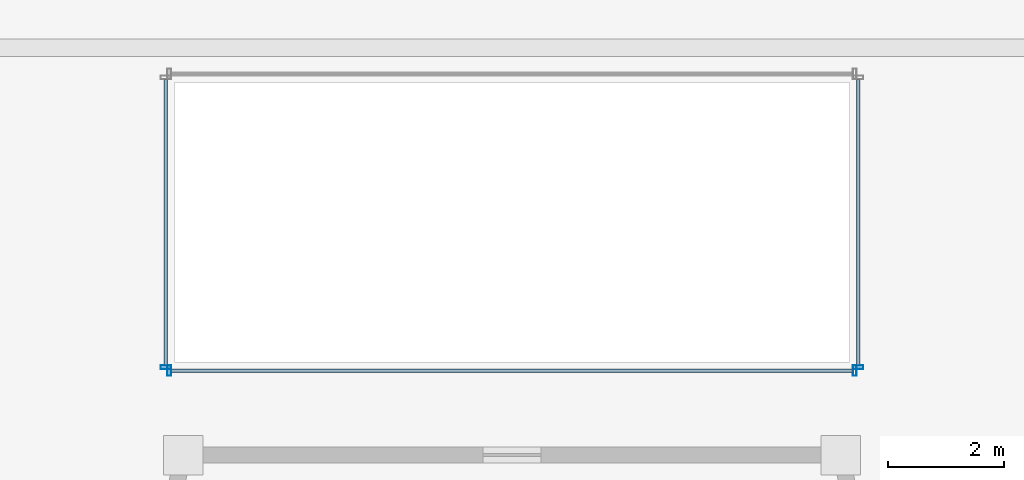
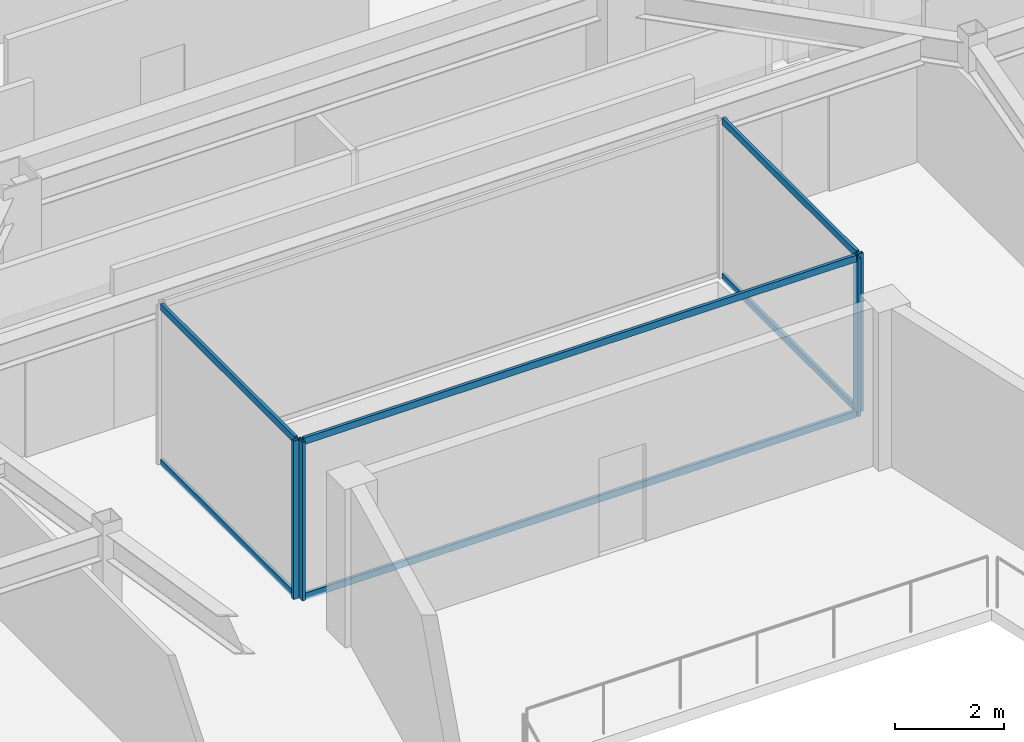
# One storey, part 7 of 31: 10 members, 3 elements without a shape of their own.
"""IFC4 building model written with IfcOpenShell, lengths in metres."""

from ifc_helpers import new_model, si_unit, direction, frame, origin, origin_2d, place, context, subcontext, project, spatial, hollow_rectangle, extrude, material, material_profile, profile_set, type_object, element, aggregate, save


model = new_model("IFC4")

# Units and contexts
model_context = context("Model", 3, precision=1e-05, world=origin(), true_north=direction((0.0, 1.0)))
body_context = subcontext(model_context, "Body", "Model", "MODEL_VIEW")
ifc_project = project(units=[si_unit("LENGTHUNIT", "METRE"), si_unit("AREAUNIT", "SQUARE_METRE"), si_unit("VOLUMEUNIT", "CUBIC_METRE"), si_unit("PLANEANGLEUNIT", "RADIAN"), si_unit("MASSUNIT", "GRAM", prefix="KILO")], contexts=[model_context])

# Site, building, storey
site_placement = place(None, origin())
site = spatial("IfcSite", under=ifc_project, at=site_placement, CompositionType="ELEMENT")
building_placement = place(site_placement, origin())
building = spatial("IfcBuilding", under=site, at=building_placement, Name="Saevonmaru Cultural Tower", CompositionType="ELEMENT")
storey_placement = place(building_placement, frame((0.0, 0.0, 230.60009765625)))
storey = spatial("IfcBuildingStorey", under=building, at=storey_placement, Name="L53", CompositionType="ELEMENT", Elevation=230.60009765625)

# Curtain wall, members
ifc_material = material(Name="Satin Bronze Anodised Aluminium", Category="aluminium")
curtain_wall_type = type_object("IfcCurtainWallType", Name="CW-ATR-GLZ", PredefinedType="NOTDEFINED", material=ifc_material)
curtain_wall_1_placement = place(storey_placement, origin())
curtain_wall_1 = element("IfcCurtainWall", 1, at=curtain_wall_1_placement, inside=storey, type_object=curtain_wall_type, Name="L53 Vertical Atrium Glazed Smoke Screen 1", PredefinedType="NOTDEFINED")
ifc_material_profile_1 = material_profile(ifc_material, hollow_rectangle(XDim=0.06494140625, YDim=0.179931640625, WallThickness=0.00390625, at=origin_2d()), Name="ALU-MULL-180x65x4")
ifc_profile_set_1 = profile_set([ifc_material_profile_1], Name="Satin Bronze Anodised Aluminium")
member_type_1 = type_object("IfcMemberType", Name="ML-CW-INT-180x65", PredefinedType="MULLION", material=ifc_profile_set_1)
member_1_placement = place(storey_placement, frame((24.110107421875, 32.64990234375, 0.0), z_axis=(0.0, 0.0, 1.0), x_axis=(1.0, 0.0, 0.0)))
member_1 = element("IfcMember", 2, at=member_1_placement, type_object=member_type_1, Name="CW-ATR-L53-1 mullion 1", PredefinedType="MULLION", context=body_context, shape_type="SweptSolid", body=[
    extrude(hollow_rectangle(XDim=0.06494140625, YDim=0.179931640625, WallThickness=0.00390625, at=origin_2d()), origin(), (0.0, 0.0, 1.0), 3.5498046875),
])
member_2_placement = place(storey_placement, frame((35.889892578125, 32.64990234375, 0.0), z_axis=(0.0, 0.0, 1.0), x_axis=(1.0, 0.0, 0.0)))
member_2 = element("IfcMember", 3, at=member_2_placement, type_object=member_type_1, Name="CW-ATR-L53-1 mullion 2", PredefinedType="MULLION", context=body_context, shape_type="SweptSolid", body=[
    extrude(hollow_rectangle(XDim=0.06494140625, YDim=0.179931640625, WallThickness=0.00390625, at=origin_2d()), origin(), (0.0, 0.0, 1.0), 3.5498046875),
])

# Curtain wall, member
curtain_wall_2_placement = place(storey_placement, origin())
curtain_wall_2 = element("IfcCurtainWall", 4, at=curtain_wall_2_placement, inside=storey, type_object=curtain_wall_type, Name="L53 Vertical Atrium Glazed Smoke Screen 2", PredefinedType="NOTDEFINED")
member_3_placement = place(storey_placement, frame((35.949951171875, 32.7099609375, 0.0), z_axis=(0.0, 0.0, 1.0), x_axis=(0.0, 1.0, 0.0)))
member_3 = element("IfcMember", 5, at=member_3_placement, type_object=member_type_1, Name="CW-ATR-L53-2 mullion 1", PredefinedType="MULLION", context=body_context, shape_type="SweptSolid", body=[
    extrude(hollow_rectangle(XDim=0.06494140625, YDim=0.179931640625, WallThickness=0.00390625, at=origin_2d()), origin(), (0.0, 0.0, 1.0), 3.5498046875),
])

curtain_wall_3_placement = place(storey_placement, origin())
curtain_wall_3 = element("IfcCurtainWall", 6, at=curtain_wall_3_placement, inside=storey, type_object=curtain_wall_type, Name="L53 Vertical Atrium Glazed Smoke Screen 4", PredefinedType="NOTDEFINED")
member_4_placement = place(storey_placement, frame((24.050048828125, 32.7099609375, 0.0), z_axis=(0.0, 0.0, 1.0), x_axis=(0.0, -1.0, 0.0)))
member_4 = element("IfcMember", 7, at=member_4_placement, type_object=member_type_1, Name="CW-ATR-L53-4 mullion 2", PredefinedType="MULLION", context=body_context, shape_type="SweptSolid", body=[
    extrude(hollow_rectangle(XDim=0.06494140625, YDim=0.179931640625, WallThickness=0.00390625, at=origin_2d()), origin(), (0.0, 0.0, 1.0), 3.5498046875),
])

# Member
ifc_material_profile_2 = material_profile(ifc_material, hollow_rectangle(XDim=0.06494140625, YDim=0.14990234375, WallThickness=0.00390625, at=origin_2d()), Name="ALU-TRAN-150x65x4")
ifc_profile_set_2 = profile_set([ifc_material_profile_2], Name="Satin Bronze Anodised Aluminium")
member_type_2 = type_object("IfcMemberType", Name="TR-CW-INT-150x65", PredefinedType="USERDEFINED", material=ifc_profile_set_2)
member_5_placement = place(storey_placement, frame((24.142578125, 32.64990234375, 0.032470703125), z_axis=(1.0, 0.0, 0.0), x_axis=(0.0, 1.0, 0.0)))
member_5 = element("IfcMember", 8, at=member_5_placement, type_object=member_type_2, Name="CW-ATR-L53-1 transom 1.1", ObjectType="TRANSOM", PredefinedType="USERDEFINED", context=body_context, shape_type="SweptSolid", body=[
    extrude(hollow_rectangle(XDim=0.06494140625, YDim=0.14990234375, WallThickness=0.00390625, at=origin_2d()), origin(), (0.0, 0.0, 1.0), 11.71484375),
])

member_6_placement = place(storey_placement, frame((24.142578125, 32.64990234375, 3.517333984375), z_axis=(1.0, 0.0, 0.0), x_axis=(0.0, 1.0, 0.0)))
member_6 = element("IfcMember", 9, at=member_6_placement, type_object=member_type_2, Name="CW-ATR-L53-1 transom 1.2", ObjectType="TRANSOM", PredefinedType="USERDEFINED", context=body_context, shape_type="SweptSolid", body=[
    extrude(hollow_rectangle(XDim=0.06494140625, YDim=0.14990234375, WallThickness=0.00390625, at=origin_2d()), origin(), (0.0, 0.0, 1.0), 11.71484375),
])

aggregate(curtain_wall_1, [member_1, member_2, member_5, member_6])

member_7_placement = place(storey_placement, frame((35.949951171875, 32.742431640625, 0.032470703125), z_axis=(0.0, 1.0, 0.0), x_axis=(-1.0, 0.0, 0.0)))
member_7 = element("IfcMember", 10, at=member_7_placement, type_object=member_type_2, Name="CW-ATR-L53-2 transom 1.1", ObjectType="TRANSOM", PredefinedType="USERDEFINED", context=body_context, shape_type="SweptSolid", body=[
    extrude(hollow_rectangle(XDim=0.06494140625, YDim=0.14990234375, WallThickness=0.00390625, at=origin_2d()), origin(), (0.0, 0.0, 1.0), 4.9150390625),
])

member_8_placement = place(storey_placement, frame((35.949951171875, 32.742431640625, 3.517333984375), z_axis=(0.0, 1.0, 0.0), x_axis=(-1.0, 0.0, 0.0)))
member_8 = element("IfcMember", 11, at=member_8_placement, type_object=member_type_2, Name="CW-ATR-L53-2 transom 1.2", ObjectType="TRANSOM", PredefinedType="USERDEFINED", context=body_context, shape_type="SweptSolid", body=[
    extrude(hollow_rectangle(XDim=0.06494140625, YDim=0.14990234375, WallThickness=0.00390625, at=origin_2d()), origin(), (0.0, 0.0, 1.0), 4.9150390625),
])

aggregate(curtain_wall_2, [member_3, member_7, member_8])

member_9_placement = place(storey_placement, frame((24.050048828125, 37.657470703125, 0.032470703125), z_axis=(0.0, -1.0, 0.0), x_axis=(1.0, 0.0, 0.0)))
member_9 = element("IfcMember", 12, at=member_9_placement, type_object=member_type_2, Name="CW-ATR-L53-4 transom 1.1", ObjectType="TRANSOM", PredefinedType="USERDEFINED", context=body_context, shape_type="SweptSolid", body=[
    extrude(hollow_rectangle(XDim=0.06494140625, YDim=0.14990234375, WallThickness=0.00390625, at=origin_2d()), origin(), (0.0, 0.0, 1.0), 4.9150390625),
])

member_10_placement = place(storey_placement, frame((24.050048828125, 37.657470703125, 3.517333984375), z_axis=(0.0, -1.0, 0.0), x_axis=(1.0, 0.0, 0.0)))
member_10 = element("IfcMember", 13, at=member_10_placement, type_object=member_type_2, Name="CW-ATR-L53-4 transom 1.2", ObjectType="TRANSOM", PredefinedType="USERDEFINED", context=body_context, shape_type="SweptSolid", body=[
    extrude(hollow_rectangle(XDim=0.06494140625, YDim=0.14990234375, WallThickness=0.00390625, at=origin_2d()), origin(), (0.0, 0.0, 1.0), 4.9150390625),
])

aggregate(curtain_wall_3, [member_4, member_9, member_10])

save(model, "model.ifc")
